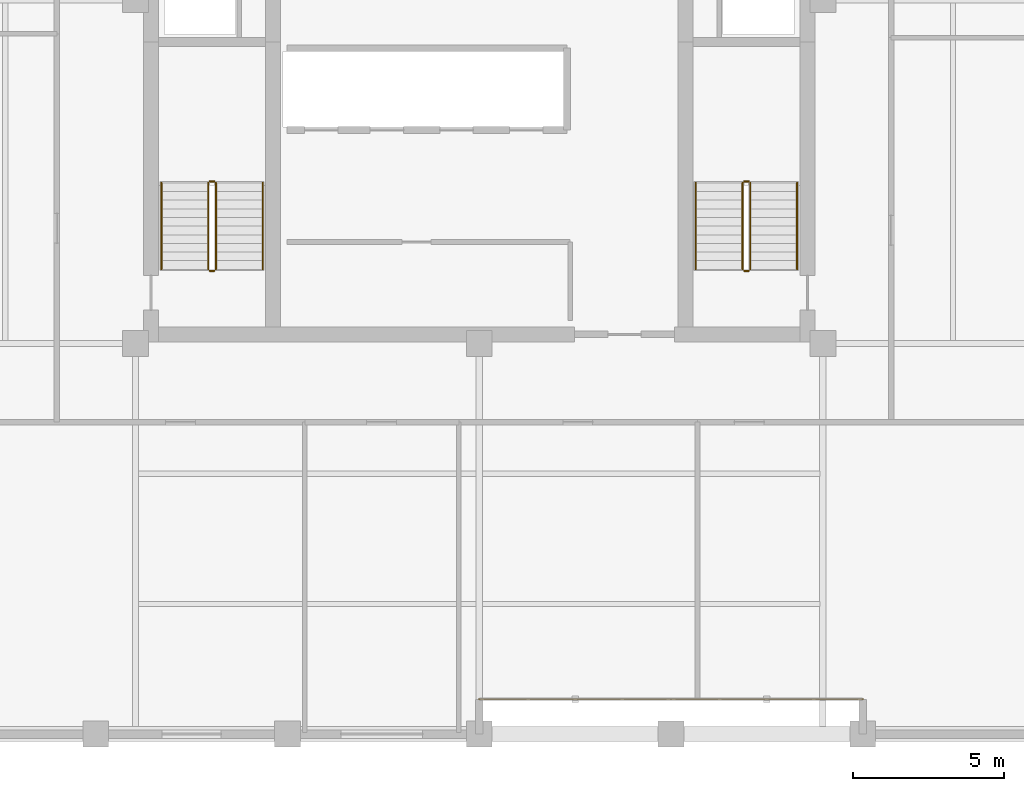
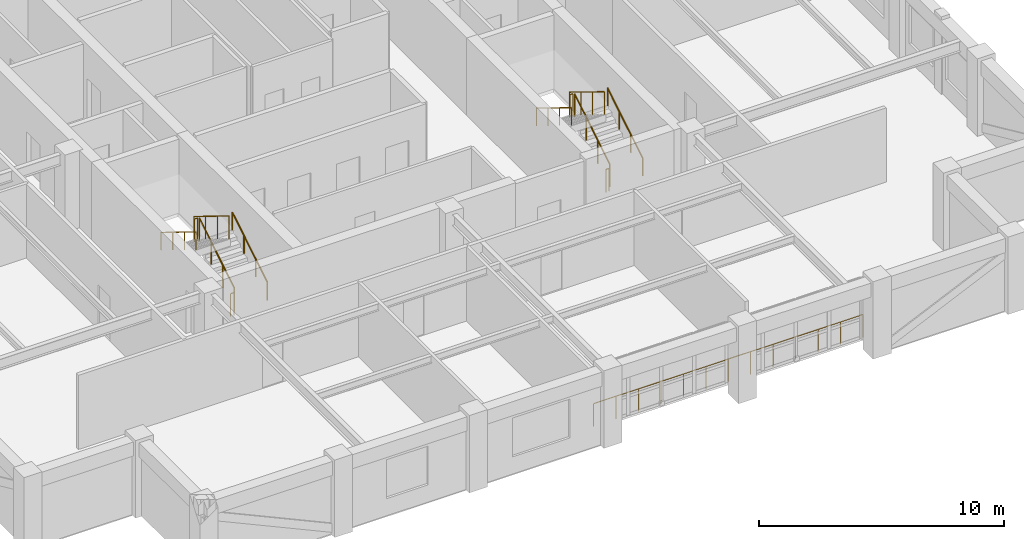
# One storey, part 13 of 13: 14 railings.
"""IFC4 building model written with IfcOpenShell, lengths in metres."""

from ifc_helpers import new_model, si_unit, direction, frame, origin, origin_2d, place, context, subcontext, project, spatial, circle, extrude, material, type_object, element, save


model = new_model("IFC4")

# Units and contexts
model_context = context("Model", 3, precision=1e-05, world=origin(), true_north=direction((0.0, 1.0)))
body_context = subcontext(model_context, "Body", "Model", "MODEL_VIEW")
ifc_project = project(units=[si_unit("LENGTHUNIT", "METRE"), si_unit("AREAUNIT", "SQUARE_METRE"), si_unit("VOLUMEUNIT", "CUBIC_METRE"), si_unit("PLANEANGLEUNIT", "RADIAN"), si_unit("MASSUNIT", "GRAM", prefix="KILO")], contexts=[model_context])

# Site, building, storey
site_placement = place(None, origin())
site = spatial("IfcSite", under=ifc_project, at=site_placement, CompositionType="ELEMENT")
building_placement = place(site_placement, origin())
building = spatial("IfcBuilding", under=site, at=building_placement, Name="Nhamokura Convention Tower", CompositionType="ELEMENT")
storey_placement = place(building_placement, frame((0.0, 0.0, 206.14990234375)))
storey = spatial("IfcBuildingStorey", under=building, at=storey_placement, Name="L50", CompositionType="ELEMENT", Elevation=206.14990234375)

# Railings
ifc_material_1 = material(Name="Anodised bronze stainless steel", Category="steel")
railing_type_1 = type_object("IfcRailingType", Name="StairWallHandrail_900", PredefinedType="HANDRAIL", material=ifc_material_1)
railing_1_placement = place(storey_placement, frame((24.85009765625, 23.10009765625, 0.175048828125)))
element("IfcRailing", 1, at=railing_1_placement, inside=storey, type_object=railing_type_1, Name="L50 ST-01 stair handrail 1", PredefinedType="HANDRAIL", context=body_context, shape_type="SweptSolid", body=[
    extrude(circle(Radius=0.02392578125, at=origin_2d()), frame((0.0, 0.0, 0.8759765625), z_axis=(0.0, 0.852159232446, 0.523282564737), x_axis=(-1.0, 0.0, 0.0)), (0.0, 0.0, 1.0), 3.34423828125),
    extrude(circle(Radius=0.02099609375, at=origin_2d()), origin(), (0.0, 0.0, 1.0), 0.851806640625),
    extrude(circle(Radius=0.02099609375, at=origin_2d()), frame((0.0, 0.949951171875, 0.583251953125)), (0.0, 0.0, 1.0), 0.851806640625),
    extrude(circle(Radius=0.02099609375, at=origin_2d()), frame((0.0, 1.89990234375, 1.166748046875)), (0.0, 0.0, 1.0), 0.851806640625),
    extrude(circle(Radius=0.02099609375, at=origin_2d()), frame((0.0, 2.849853515625, 1.75)), (0.0, 0.0, 1.0), 0.851806640625),
])
railing_2_placement = place(storey_placement, frame((21.5, 25.949951171875, 2.10009765625)))
element("IfcRailing", 2, at=railing_2_placement, inside=storey, type_object=railing_type_1, Name="L50 ST-01 stair handrail 2", PredefinedType="HANDRAIL", context=body_context, shape_type="SweptSolid", body=[
    extrude(circle(Radius=0.02392578125, at=origin_2d()), frame((0.0, 0.0, 0.8759765625), z_axis=(0.0, -0.852159232446, 0.523282564737), x_axis=(1.0, 0.0, 0.0)), (0.0, 0.0, 1.0), 3.34423828125),
    extrude(circle(Radius=0.02099609375, at=origin_2d()), origin(), (0.0, 0.0, 1.0), 0.851806640625),
    extrude(circle(Radius=0.02099609375, at=origin_2d()), frame((0.0, -0.949951171875, 0.583251953125)), (0.0, 0.0, 1.0), 0.851806640625),
    extrude(circle(Radius=0.02099609375, at=origin_2d()), frame((0.0, -1.89990234375, 1.166748046875)), (0.0, 0.0, 1.0), 0.851806640625),
    extrude(circle(Radius=0.02099609375, at=origin_2d()), frame((0.0, -2.849853515625, 1.75)), (0.0, 0.0, 1.0), 0.851806640625),
])
railing_3_placement = place(storey_placement, frame((42.5, 23.10009765625, 0.175048828125)))
element("IfcRailing", 3, at=railing_3_placement, inside=storey, type_object=railing_type_1, Name="L50 ST-02 stair handrail 1", PredefinedType="HANDRAIL", context=body_context, shape_type="SweptSolid", body=[
    extrude(circle(Radius=0.02392578125, at=origin_2d()), frame((0.0, 0.0, 0.8759765625), z_axis=(0.0, 0.852159232446, 0.523282564737), x_axis=(-1.0, 0.0, 0.0)), (0.0, 0.0, 1.0), 3.34423828125),
    extrude(circle(Radius=0.02099609375, at=origin_2d()), origin(), (0.0, 0.0, 1.0), 0.851806640625),
    extrude(circle(Radius=0.02099609375, at=origin_2d()), frame((0.0, 0.949951171875, 0.583251953125)), (0.0, 0.0, 1.0), 0.851806640625),
    extrude(circle(Radius=0.02099609375, at=origin_2d()), frame((0.0, 1.89990234375, 1.166748046875)), (0.0, 0.0, 1.0), 0.851806640625),
    extrude(circle(Radius=0.02099609375, at=origin_2d()), frame((0.0, 2.849853515625, 1.75)), (0.0, 0.0, 1.0), 0.851806640625),
])
railing_4_placement = place(storey_placement, frame((39.14990234375, 25.949951171875, 2.10009765625)))
element("IfcRailing", 4, at=railing_4_placement, inside=storey, type_object=railing_type_1, Name="L50 ST-02 stair handrail 2", PredefinedType="HANDRAIL", context=body_context, shape_type="SweptSolid", body=[
    extrude(circle(Radius=0.02392578125, at=origin_2d()), frame((0.0, 0.0, 0.8759765625), z_axis=(0.0, -0.852159232446, 0.523282564737), x_axis=(1.0, 0.0, 0.0)), (0.0, 0.0, 1.0), 3.34423828125),
    extrude(circle(Radius=0.02099609375, at=origin_2d()), origin(), (0.0, 0.0, 1.0), 0.851806640625),
    extrude(circle(Radius=0.02099609375, at=origin_2d()), frame((0.0, -0.949951171875, 0.583251953125)), (0.0, 0.0, 1.0), 0.851806640625),
    extrude(circle(Radius=0.02099609375, at=origin_2d()), frame((0.0, -1.89990234375, 1.166748046875)), (0.0, 0.0, 1.0), 0.851806640625),
    extrude(circle(Radius=0.02099609375, at=origin_2d()), frame((0.0, -2.849853515625, 1.75)), (0.0, 0.0, 1.0), 0.851806640625),
])
ifc_material_2 = material(Name="Painted tubular steel", Category="steel")
railing_type_2 = type_object("IfcRailingType", Name="StairWellGuardrail_1150", PredefinedType="GUARDRAIL", material=ifc_material_2)
railing_5_placement = place(storey_placement, frame((23.300048828125, 23.10009765625, 0.175048828125)))
element("IfcRailing", 5, at=railing_5_placement, inside=storey, type_object=railing_type_2, Name="L50 ST-01 stair guard 1", PredefinedType="GUARDRAIL", context=body_context, shape_type="SweptSolid", body=[
    extrude(circle(Radius=0.02392578125, at=origin_2d()), frame((0.0, 0.0, 1.1259765625), z_axis=(0.0, 0.852159232446, 0.523282564737), x_axis=(-1.0, 0.0, 0.0)), (0.0, 0.0, 1.0), 3.34423828125),
    extrude(circle(Radius=0.02099609375, at=origin_2d()), origin(), (0.0, 0.0, 1.0), 1.101806640625),
    extrude(circle(Radius=0.02099609375, at=origin_2d()), frame((0.0, 0.949951171875, 0.583251953125)), (0.0, 0.0, 1.0), 1.101806640625),
    extrude(circle(Radius=0.02099609375, at=origin_2d()), frame((0.0, 1.89990234375, 1.166748046875)), (0.0, 0.0, 1.0), 1.101806640625),
    extrude(circle(Radius=0.02099609375, at=origin_2d()), frame((0.0, 2.849853515625, 1.75)), (0.0, 0.0, 1.0), 1.101806640625),
])
railing_6_placement = place(storey_placement, frame((23.25, 26.0, 1.925048828125)))
element("IfcRailing", 6, at=railing_6_placement, inside=storey, type_object=railing_type_2, Name="L50 ST-01 stair guard 2", PredefinedType="GUARDRAIL", context=body_context, shape_type="SweptSolid", body=[
    extrude(circle(Radius=0.02392578125, at=origin_2d()), frame((0.0, 0.0, 1.1259765625), z_axis=(-1.0, 0.0, 0.0), x_axis=(0.0, -1.0, 0.0)), (0.0, 0.0, 1.0), 0.14990234375),
    extrude(circle(Radius=0.02099609375, at=origin_2d()), origin(), (0.0, 0.0, 1.0), 1.101806640625),
    extrude(circle(Radius=0.02099609375, at=origin_2d()), frame((-0.14990234375, 0.0, 0.0)), (0.0, 0.0, 1.0), 1.101806640625),
])
railing_7_placement = place(storey_placement, frame((23.050048828125, 25.949951171875, 2.10009765625)))
element("IfcRailing", 7, at=railing_7_placement, inside=storey, type_object=railing_type_2, Name="L50 ST-01 stair guard 3", PredefinedType="GUARDRAIL", context=body_context, shape_type="SweptSolid", body=[
    extrude(circle(Radius=0.02392578125, at=origin_2d()), frame((0.0, 0.0, 1.1259765625), z_axis=(0.0, -0.852159232446, 0.523282564737), x_axis=(1.0, 0.0, 0.0)), (0.0, 0.0, 1.0), 3.34423828125),
    extrude(circle(Radius=0.02099609375, at=origin_2d()), origin(), (0.0, 0.0, 1.0), 1.101806640625),
    extrude(circle(Radius=0.02099609375, at=origin_2d()), frame((0.0, -0.949951171875, 0.583251953125)), (0.0, 0.0, 1.0), 1.101806640625),
    extrude(circle(Radius=0.02099609375, at=origin_2d()), frame((0.0, -1.89990234375, 1.166748046875)), (0.0, 0.0, 1.0), 1.101806640625),
    extrude(circle(Radius=0.02099609375, at=origin_2d()), frame((0.0, -2.849853515625, 1.75)), (0.0, 0.0, 1.0), 1.101806640625),
])
railing_8_placement = place(storey_placement, frame((23.25, 23.050048828125, 0.0)))
element("IfcRailing", 8, at=railing_8_placement, inside=storey, type_object=railing_type_2, Name="L50 ST-01 stair guard 4", PredefinedType="GUARDRAIL", context=body_context, shape_type="SweptSolid", body=[
    extrude(circle(Radius=0.02392578125, at=origin_2d()), frame((0.0, 0.0, 1.1259765625), z_axis=(-1.0, 0.0, 0.0), x_axis=(0.0, -1.0, 0.0)), (0.0, 0.0, 1.0), 0.14990234375),
    extrude(circle(Radius=0.02099609375, at=origin_2d()), origin(), (0.0, 0.0, 1.0), 1.101806640625),
    extrude(circle(Radius=0.02099609375, at=origin_2d()), frame((-0.14990234375, 0.0, 0.0)), (0.0, 0.0, 1.0), 1.101806640625),
])
railing_9_placement = place(storey_placement, frame((40.949951171875, 23.10009765625, 0.175048828125)))
element("IfcRailing", 9, at=railing_9_placement, inside=storey, type_object=railing_type_2, Name="L50 ST-02 stair guard 1", PredefinedType="GUARDRAIL", context=body_context, shape_type="SweptSolid", body=[
    extrude(circle(Radius=0.02392578125, at=origin_2d()), frame((0.0, 0.0, 1.1259765625), z_axis=(0.0, 0.852159232446, 0.523282564737), x_axis=(-1.0, 0.0, 0.0)), (0.0, 0.0, 1.0), 3.34423828125),
    extrude(circle(Radius=0.02099609375, at=origin_2d()), origin(), (0.0, 0.0, 1.0), 1.101806640625),
    extrude(circle(Radius=0.02099609375, at=origin_2d()), frame((0.0, 0.949951171875, 0.583251953125)), (0.0, 0.0, 1.0), 1.101806640625),
    extrude(circle(Radius=0.02099609375, at=origin_2d()), frame((0.0, 1.89990234375, 1.166748046875)), (0.0, 0.0, 1.0), 1.101806640625),
    extrude(circle(Radius=0.02099609375, at=origin_2d()), frame((0.0, 2.849853515625, 1.75)), (0.0, 0.0, 1.0), 1.101806640625),
])
railing_10_placement = place(storey_placement, frame((40.89990234375, 26.0, 1.925048828125)))
element("IfcRailing", 10, at=railing_10_placement, inside=storey, type_object=railing_type_2, Name="L50 ST-02 stair guard 2", PredefinedType="GUARDRAIL", context=body_context, shape_type="SweptSolid", body=[
    extrude(circle(Radius=0.02392578125, at=origin_2d()), frame((0.0, 0.0, 1.1259765625), z_axis=(-1.0, 0.0, 0.0), x_axis=(0.0, -1.0, 0.0)), (0.0, 0.0, 1.0), 0.14990234375),
    extrude(circle(Radius=0.02099609375, at=origin_2d()), origin(), (0.0, 0.0, 1.0), 1.101806640625),
    extrude(circle(Radius=0.02099609375, at=origin_2d()), frame((-0.14990234375, 0.0, 0.0)), (0.0, 0.0, 1.0), 1.101806640625),
])
railing_11_placement = place(storey_placement, frame((40.699951171875, 25.949951171875, 2.10009765625)))
element("IfcRailing", 11, at=railing_11_placement, inside=storey, type_object=railing_type_2, Name="L50 ST-02 stair guard 3", PredefinedType="GUARDRAIL", context=body_context, shape_type="SweptSolid", body=[
    extrude(circle(Radius=0.02392578125, at=origin_2d()), frame((0.0, 0.0, 1.1259765625), z_axis=(0.0, -0.852159232446, 0.523282564737), x_axis=(1.0, 0.0, 0.0)), (0.0, 0.0, 1.0), 3.34423828125),
    extrude(circle(Radius=0.02099609375, at=origin_2d()), origin(), (0.0, 0.0, 1.0), 1.101806640625),
    extrude(circle(Radius=0.02099609375, at=origin_2d()), frame((0.0, -0.949951171875, 0.583251953125)), (0.0, 0.0, 1.0), 1.101806640625),
    extrude(circle(Radius=0.02099609375, at=origin_2d()), frame((0.0, -1.89990234375, 1.166748046875)), (0.0, 0.0, 1.0), 1.101806640625),
    extrude(circle(Radius=0.02099609375, at=origin_2d()), frame((0.0, -2.849853515625, 1.75)), (0.0, 0.0, 1.0), 1.101806640625),
])
railing_12_placement = place(storey_placement, frame((40.89990234375, 23.050048828125, 0.0)))
element("IfcRailing", 12, at=railing_12_placement, inside=storey, type_object=railing_type_2, Name="L50 ST-02 stair guard 4", PredefinedType="GUARDRAIL", context=body_context, shape_type="SweptSolid", body=[
    extrude(circle(Radius=0.02392578125, at=origin_2d()), frame((0.0, 0.0, 1.1259765625), z_axis=(-1.0, 0.0, 0.0), x_axis=(0.0, -1.0, 0.0)), (0.0, 0.0, 1.0), 0.14990234375),
    extrude(circle(Radius=0.02099609375, at=origin_2d()), origin(), (0.0, 0.0, 1.0), 1.101806640625),
    extrude(circle(Radius=0.02099609375, at=origin_2d()), frame((-0.14990234375, 0.0, 0.0)), (0.0, 0.0, 1.0), 1.101806640625),
])
ifc_material_3 = material(Name="Anodised bronze stainless steel", Category="steel")
railing_type_3 = type_object("IfcRailingType", Name="TerraceGuardrail_1150", PredefinedType="GUARDRAIL", material=ifc_material_3)
railing_13_placement = place(storey_placement, frame((38.333251953125, 8.89990234375, 0.0)))
element("IfcRailing", 13, at=railing_13_placement, inside=storey, type_object=railing_type_3, Name="L50 Scale-Slot Edge Guardrail SOUTH 3", PredefinedType="GUARDRAIL", context=body_context, shape_type="SweptSolid", body=[
    extrude(circle(Radius=0.02392578125, at=origin_2d()), frame((0.0, 0.0, 1.1259765625), z_axis=(-1.0, 0.0, 0.0), x_axis=(0.0, -1.0, 0.0)), (0.0, 0.0, 1.0), 6.333251953125),
    extrude(circle(Radius=0.02099609375, at=origin_2d()), origin(), (0.0, 0.0, 1.0), 1.101806640625),
    extrude(circle(Radius=0.02099609375, at=origin_2d()), frame((-1.0556640625, 0.0, 0.0)), (0.0, 0.0, 1.0), 1.101806640625),
    extrude(circle(Radius=0.02099609375, at=origin_2d()), frame((-2.111083984375, 0.0, 0.0)), (0.0, 0.0, 1.0), 1.101806640625),
    extrude(circle(Radius=0.02099609375, at=origin_2d()), frame((-3.16650390625, 0.0, 0.0)), (0.0, 0.0, 1.0), 1.101806640625),
    extrude(circle(Radius=0.02099609375, at=origin_2d()), frame((-4.22216796875, 0.0, 0.0)), (0.0, 0.0, 1.0), 1.101806640625),
    extrude(circle(Radius=0.02099609375, at=origin_2d()), frame((-5.27783203125, 0.0, 0.0)), (0.0, 0.0, 1.0), 1.101806640625),
    extrude(circle(Radius=0.02099609375, at=origin_2d()), frame((-6.333251953125, 0.0, 0.0)), (0.0, 0.0, 1.0), 1.101806640625),
])
railing_14_placement = place(storey_placement, frame((44.666748046875, 8.89990234375, 0.0)))
element("IfcRailing", 14, at=railing_14_placement, inside=storey, type_object=railing_type_3, Name="L50 Scale-Slot Edge Guardrail SOUTH 4", PredefinedType="GUARDRAIL", context=body_context, shape_type="SweptSolid", body=[
    extrude(circle(Radius=0.02392578125, at=origin_2d()), frame((0.0, 0.0, 1.1259765625), z_axis=(-1.0, 0.0, 0.0), x_axis=(0.0, -1.0, 0.0)), (0.0, 0.0, 1.0), 6.33349609375),
    extrude(circle(Radius=0.02099609375, at=origin_2d()), origin(), (0.0, 0.0, 1.0), 1.101806640625),
    extrude(circle(Radius=0.02099609375, at=origin_2d()), frame((-1.0556640625, 0.0, 0.0)), (0.0, 0.0, 1.0), 1.101806640625),
    extrude(circle(Radius=0.02099609375, at=origin_2d()), frame((-2.111083984375, 0.0, 0.0)), (0.0, 0.0, 1.0), 1.101806640625),
    extrude(circle(Radius=0.02099609375, at=origin_2d()), frame((-3.166748046875, 0.0, 0.0)), (0.0, 0.0, 1.0), 1.101806640625),
    extrude(circle(Radius=0.02099609375, at=origin_2d()), frame((-4.222412109375, 0.0, 0.0)), (0.0, 0.0, 1.0), 1.101806640625),
    extrude(circle(Radius=0.02099609375, at=origin_2d()), frame((-5.27783203125, 0.0, 0.0)), (0.0, 0.0, 1.0), 1.101806640625),
    extrude(circle(Radius=0.02099609375, at=origin_2d()), frame((-6.33349609375, 0.0, 0.0)), (0.0, 0.0, 1.0), 1.101806640625),
])

save(model, "model.ifc")
